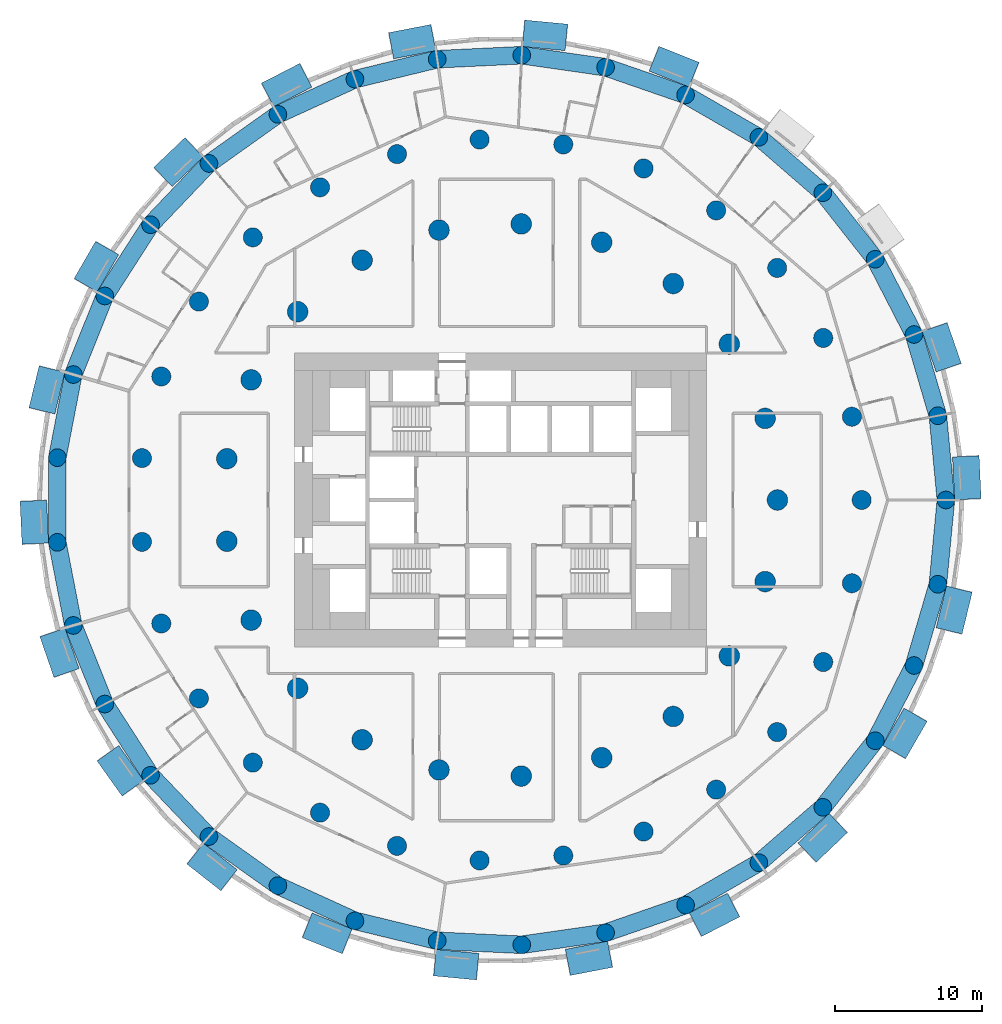
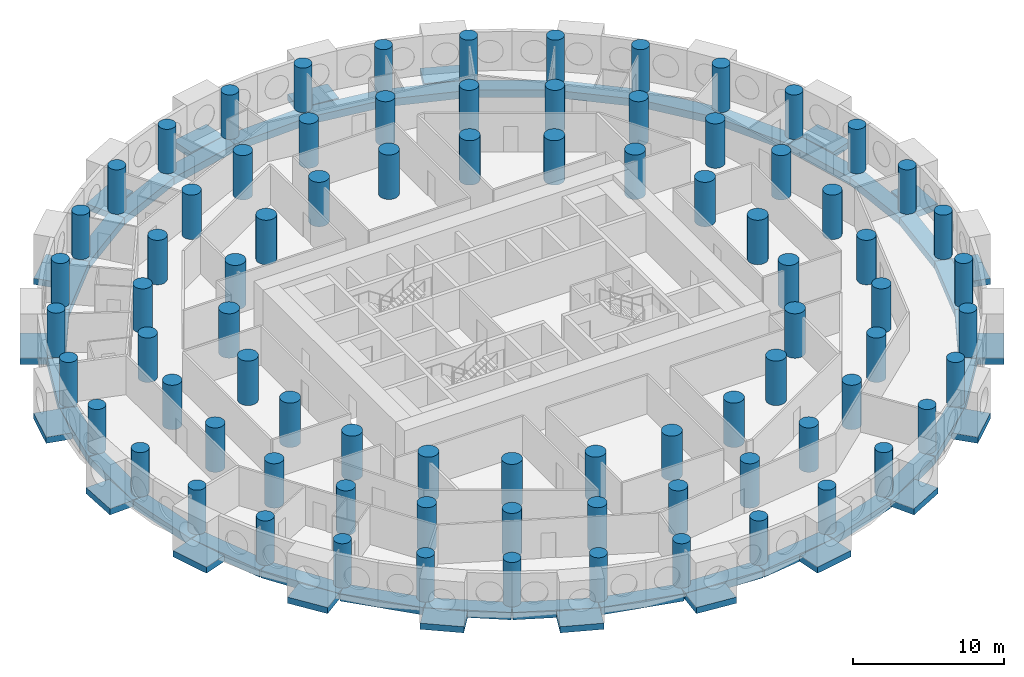
# One storey, part 1 of 12: 81 columns, 53 beams.
"""IFC4 building model written with IfcOpenShell, lengths in metres."""

from ifc_helpers import new_model, si_unit, direction, frame, origin, origin_2d, place, context, subcontext, project, spatial, rectangle, circle, extrude, material, material_profile, profile_set, type_object, element, save


model = new_model("IFC4")

# Units and contexts
model_context = context("Model", 3, precision=1e-05, world=origin(), true_north=direction((0.0, 1.0)))
body_context = subcontext(model_context, "Body", "Model", "MODEL_VIEW")
ifc_project = project(units=[si_unit("LENGTHUNIT", "METRE"), si_unit("AREAUNIT", "SQUARE_METRE"), si_unit("VOLUMEUNIT", "CUBIC_METRE"), si_unit("PLANEANGLEUNIT", "RADIAN"), si_unit("MASSUNIT", "GRAM", prefix="KILO")], contexts=[model_context])

# Site, building, storey
site_placement = place(None, origin())
site = spatial("IfcSite", under=ifc_project, at=site_placement, CompositionType="ELEMENT")
building_placement = place(site_placement, origin())
building = spatial("IfcBuilding", under=site, at=building_placement, Name="Tracery Tower", CompositionType="ELEMENT")
storey_placement = place(building_placement, frame((0.0, 0.0, 82.199951171875)))
storey = spatial("IfcBuildingStorey", under=building, at=storey_placement, Name="L20", CompositionType="ELEMENT", Elevation=82.199951171875)

# Columns
ifc_material_1 = material(Name="Concrete C60/75", Category="concrete")
ifc_material_profile_1 = material_profile(ifc_material_1, circle(Radius=0.60009765625, at=origin_2d()), Name="RC D1200")
ifc_profile_set_1 = profile_set([ifc_material_profile_1], Name="Concrete C60/75")
column_type_1 = type_object("IfcColumnType", Name="Ring 0 column 1200", PredefinedType="COLUMN", material=ifc_profile_set_1)
for number, where, z_axis, x_axis, name in (
    (1, (30.274658203125, 0.0, 0.0), (0.0, 0.0, 1.0), (1.0, 0.0, 0.0), "Ring 0 column 00 at L20"),
    (2, (29.7275390625, 5.7294921875, 0.0), (0.0, 0.0, 1.0), (1.0, 0.0, 0.0), "Ring 0 column 01 at L20"),
    (3, (28.10595703125, 11.251953125, 0.0), (0.0, 0.0, 1.0), (1.0, 0.0, 0.0), "Ring 0 column 02 at L20"),
    (4, (25.468505859375, 16.36767578125, 0.0), (0.0, 0.0, 1.0), (1.0, 0.0, 0.0), "Ring 0 column 03 at L20"),
    (5, (21.910888671875, 20.891845703125, 0.0), (0.0, 0.0, 1.0), (1.0, 0.0, 0.0), "Ring 0 column 04 at L20"),
    (6, (17.56103515625, 24.660888671875, 0.0), (0.0, 0.0, 1.0), (1.0, 0.0, 0.0), "Ring 0 column 05 at L20"),
    (7, (12.576416015625, 27.538818359375, 0.0), (0.0, 0.0, 1.0), (1.0, 0.0, 0.0), "Ring 0 column 06 at L20"),
    (8, (7.137451171875, 29.421142578125, 0.0), (0.0, 0.0, 1.0), (1.0, 0.0, 0.0), "Ring 0 column 07 at L20"),
    (9, (1.4404296875, 30.240234375, 0.0), (0.0, 0.0, 1.0), (1.0, 0.0, 0.0), "Ring 0 column 08 at L20"),
    (10, (-4.30859375, 29.96630859375, 0.0), (0.0, 0.0, 1.0), (1.0, 0.0, 0.0), "Ring 0 column 09 at L20"),
    (11, (-9.90185546875, 28.609619140625, 0.0), (0.0, 0.0, 1.0), (1.0, 0.0, 0.0), "Ring 0 column 10 at L20"),
    (12, (-15.13720703125, 26.218505859375, 0.0), (0.0, 0.0, 1.0), (1.0, 0.0, 0.0), "Ring 0 column 11 at L20"),
    (13, (-19.82568359375, 22.8798828125, 0.0), (0.0, 0.0, 1.0), (1.0, 0.0, 0.0), "Ring 0 column 12 at L20"),
    (14, (-23.79736328125, 18.714599609375, 0.0), (0.0, 0.0, 1.0), (1.0, 0.0, 0.0), "Ring 0 column 13 at L20"),
    (15, (-26.9091796875, 13.87255859375, 0.0), (0.0, 0.0, 1.0), (1.0, 0.0, 0.0), "Ring 0 column 14 at L20"),
    (16, (-29.04833984375, 8.529296875, 0.0), (0.0, 0.0, 1.0), (1.0, 0.0, 0.0), "Ring 0 column 15 at L20"),
    (17, (-30.137451171875, 2.877685546875, 0.0), (0.0, 0.0, 1.0), (1.0, 0.0, 0.0), "Ring 0 column 16 at L20"),
    (18, (-30.137451171875, -2.877685546875, 0.0), (0.0, 0.0, 1.0), (1.0, 0.0, 0.0), "Ring 0 column 17 at L20"),
    (19, (-29.04833984375, -8.529296875, 0.0), (0.0, 0.0, 1.0), (1.0, 0.0, 0.0), "Ring 0 column 18 at L20"),
    (20, (-26.9091796875, -13.87255859375, 0.0), (0.0, 0.0, 1.0), (1.0, 0.0, 0.0), "Ring 0 column 19 at L20"),
    (21, (-23.79736328125, -18.714599609375, 0.0), (0.0, 0.0, 1.0), (1.0, 0.0, 0.0), "Ring 0 column 20 at L20"),
    (22, (-19.82568359375, -22.8798828125, 0.0), (0.0, 0.0, 1.0), (1.0, 0.0, 0.0), "Ring 0 column 21 at L20"),
    (23, (-15.13720703125, -26.218505859375, 0.0), (0.0, 0.0, 1.0), (1.0, 0.0, 0.0), "Ring 0 column 22 at L20"),
    (24, (-9.90185546875, -28.609619140625, 0.0), (0.0, 0.0, 1.0), (1.0, 0.0, 0.0), "Ring 0 column 23 at L20"),
    (25, (-4.30859375, -29.96630859375, 0.0), (0.0, 0.0, 1.0), (1.0, 0.0, 0.0), "Ring 0 column 24 at L20"),
    (26, (1.4404296875, -30.240234375, 0.0), (0.0, 0.0, 1.0), (1.0, 0.0, 0.0), "Ring 0 column 25 at L20"),
    (27, (7.137451171875, -29.421142578125, 0.0), (0.0, 0.0, 1.0), (1.0, 0.0, 0.0), "Ring 0 column 26 at L20"),
    (28, (12.576416015625, -27.538818359375, 0.0), (0.0, 0.0, 1.0), (1.0, 0.0, 0.0), "Ring 0 column 27 at L20"),
    (29, (17.56103515625, -24.660888671875, 0.0), (0.0, 0.0, 1.0), (1.0, 0.0, 0.0), "Ring 0 column 28 at L20"),
    (30, (21.910888671875, -20.891845703125, 0.0), (0.0, 0.0, 1.0), (1.0, 0.0, 0.0), "Ring 0 column 29 at L20"),
    (31, (25.468505859375, -16.36767578125, 0.0), (0.0, 0.0, 1.0), (1.0, 0.0, 0.0), "Ring 0 column 30 at L20"),
    (32, (28.10595703125, -11.251953125, 0.0), (0.0, 0.0, 1.0), (1.0, 0.0, 0.0), "Ring 0 column 31 at L20"),
    (33, (29.7275390625, -5.7294921875, 0.0), (0.0, 0.0, 1.0), (1.0, 0.0, 0.0), "Ring 0 column 32 at L20"),
):
    element("IfcColumn", number, at=place(storey_placement, frame(where, z_axis=z_axis, x_axis=x_axis)), inside=storey, type_object=column_type_1, Name=name, PredefinedType="COLUMN", context=body_context, shape_type="SweptSolid", body=[
        extrude(circle(Radius=0.60009765625, at=origin_2d()), origin(), (0.0, 0.0, 1.0), 3.60009765625),
    ])
ifc_material_2 = material(Name="Concrete C60/75", Category="concrete")
ifc_material_profile_2 = material_profile(ifc_material_2, circle(Radius=0.64990234375, at=origin_2d()), Name="RC D1300")
ifc_profile_set_2 = profile_set([ifc_material_profile_2], Name="Concrete C60/75")
column_type_2 = type_object("IfcColumnType", Name="Ring 1 column 1300", PredefinedType="COLUMN", material=ifc_profile_set_2)
for number, where, z_axis, x_axis, name in (
    (34, (24.547607421875, 0.0, 0.0), (0.0, 0.0, 1.0), (1.0, 0.0, 0.0), "Ring 1 column 00 at L20"),
    (35, (23.885986328125, 5.6611328125, 0.0), (0.0, 0.0, 1.0), (1.0, 0.0, 0.0), "Ring 1 column 01 at L20"),
    (36, (21.9365234375, 11.01708984375, 0.0), (0.0, 0.0, 1.0), (1.0, 0.0, 0.0), "Ring 1 column 02 at L20"),
    (37, (18.8046875, 15.779052734375, 0.0), (0.0, 0.0, 1.0), (1.0, 0.0, 0.0), "Ring 1 column 03 at L20"),
    (38, (14.658935546875, 19.690185546875, 0.0), (0.0, 0.0, 1.0), (1.0, 0.0, 0.0), "Ring 1 column 04 at L20"),
    (39, (9.722900390625, 22.5400390625, 0.0), (0.0, 0.0, 1.0), (1.0, 0.0, 0.0), "Ring 1 column 05 at L20"),
    (40, (4.2626953125, 24.1748046875, 0.0), (0.0, 0.0, 1.0), (1.0, 0.0, 0.0), "Ring 1 column 06 at L20"),
    (41, (-1.42724609375, 24.506103515625, 0.0), (0.0, 0.0, 1.0), (1.0, 0.0, 0.0), "Ring 1 column 07 at L20"),
    (42, (-7.040283203125, 23.516357421875, 0.0), (0.0, 0.0, 1.0), (1.0, 0.0, 0.0), "Ring 1 column 08 at L20"),
    (43, (-12.273681640625, 21.2587890625, 0.0), (0.0, 0.0, 1.0), (1.0, 0.0, 0.0), "Ring 1 column 09 at L20"),
    (44, (-16.845703125, 17.855224609375, 0.0), (0.0, 0.0, 1.0), (1.0, 0.0, 0.0), "Ring 1 column 10 at L20"),
    (45, (-20.50927734375, 13.4892578125, 0.0), (0.0, 0.0, 1.0), (1.0, 0.0, 0.0), "Ring 1 column 11 at L20"),
    (46, (-23.0673828125, 8.395751953125, 0.0), (0.0, 0.0, 1.0), (1.0, 0.0, 0.0), "Ring 1 column 12 at L20"),
    (47, (-24.381591796875, 2.849853515625, 0.0), (0.0, 0.0, 1.0), (1.0, 0.0, 0.0), "Ring 1 column 13 at L20"),
    (48, (-24.381591796875, -2.849853515625, 0.0), (0.0, 0.0, 1.0), (1.0, 0.0, 0.0), "Ring 1 column 14 at L20"),
    (49, (-23.0673828125, -8.395751953125, 0.0), (0.0, 0.0, 1.0), (1.0, 0.0, 0.0), "Ring 1 column 15 at L20"),
    (50, (-20.50927734375, -13.4892578125, 0.0), (0.0, 0.0, 1.0), (1.0, 0.0, 0.0), "Ring 1 column 16 at L20"),
    (51, (-16.845703125, -17.85546875, 0.0), (0.0, 0.0, 1.0), (1.0, 0.0, 0.0), "Ring 1 column 17 at L20"),
    (52, (-12.27392578125, -21.2587890625, 0.0), (0.0, 0.0, 1.0), (1.0, 0.0, 0.0), "Ring 1 column 18 at L20"),
    (53, (-7.040283203125, -23.516357421875, 0.0), (0.0, 0.0, 1.0), (1.0, 0.0, 0.0), "Ring 1 column 19 at L20"),
    (54, (-1.42724609375, -24.506103515625, 0.0), (0.0, 0.0, 1.0), (1.0, 0.0, 0.0), "Ring 1 column 20 at L20"),
    (55, (4.2626953125, -24.1748046875, 0.0), (0.0, 0.0, 1.0), (1.0, 0.0, 0.0), "Ring 1 column 21 at L20"),
    (56, (9.722900390625, -22.5400390625, 0.0), (0.0, 0.0, 1.0), (1.0, 0.0, 0.0), "Ring 1 column 22 at L20"),
    (57, (14.658935546875, -19.690185546875, 0.0), (0.0, 0.0, 1.0), (1.0, 0.0, 0.0), "Ring 1 column 23 at L20"),
    (58, (18.8046875, -15.779052734375, 0.0), (0.0, 0.0, 1.0), (1.0, 0.0, 0.0), "Ring 1 column 24 at L20"),
    (59, (21.9365234375, -11.01708984375, 0.0), (0.0, 0.0, 1.0), (1.0, 0.0, 0.0), "Ring 1 column 25 at L20"),
    (60, (23.885986328125, -5.6611328125, 0.0), (0.0, 0.0, 1.0), (1.0, 0.0, 0.0), "Ring 1 column 26 at L20"),
):
    element("IfcColumn", number, at=place(storey_placement, frame(where, z_axis=z_axis, x_axis=x_axis)), inside=storey, type_object=column_type_2, Name=name, PredefinedType="COLUMN", context=body_context, shape_type="SweptSolid", body=[
        extrude(circle(Radius=0.64990234375, at=origin_2d()), origin(), (0.0, 0.0, 1.0), 3.60009765625),
    ])
ifc_material_3 = material(Name="Concrete C60/75", Category="concrete")
ifc_material_profile_3 = material_profile(ifc_material_3, circle(Radius=0.699951171875, at=origin_2d()), Name="RC D1400")
ifc_profile_set_3 = profile_set([ifc_material_profile_3], Name="Concrete C60/75")
column_type_3 = type_object("IfcColumnType", Name="Ring 2 column 1400", PredefinedType="COLUMN", material=ifc_profile_set_3)
for number, where, z_axis, x_axis, name in (
    (61, (18.822265625, 0.0, 0.0), (0.0, 0.0, 1.0), (1.0, 0.0, 0.0), "Ring 2 column 00 at L20"),
    (62, (17.986083984375, 5.5478515625, 0.0), (0.0, 0.0, 1.0), (1.0, 0.0, 0.0), "Ring 2 column 01 at L20"),
    (63, (15.551513671875, 10.602783203125, 0.0), (0.0, 0.0, 1.0), (1.0, 0.0, 0.0), "Ring 2 column 02 at L20"),
    (64, (11.7353515625, 14.7158203125, 0.0), (0.0, 0.0, 1.0), (1.0, 0.0, 0.0), "Ring 2 column 03 at L20"),
    (65, (6.87646484375, 17.52099609375, 0.0), (0.0, 0.0, 1.0), (1.0, 0.0, 0.0), "Ring 2 column 04 at L20"),
    (66, (1.406494140625, 18.76953125, 0.0), (0.0, 0.0, 1.0), (1.0, 0.0, 0.0), "Ring 2 column 05 at L20"),
    (67, (-4.188232421875, 18.350341796875, 0.0), (0.0, 0.0, 1.0), (1.0, 0.0, 0.0), "Ring 2 column 06 at L20"),
    (68, (-9.4111328125, 16.300537109375, 0.0), (0.0, 0.0, 1.0), (1.0, 0.0, 0.0), "Ring 2 column 07 at L20"),
    (69, (-13.797607421875, 12.802490234375, 0.0), (0.0, 0.0, 1.0), (1.0, 0.0, 0.0), "Ring 2 column 08 at L20"),
    (70, (-16.958251953125, 8.16650390625, 0.0), (0.0, 0.0, 1.0), (1.0, 0.0, 0.0), "Ring 2 column 09 at L20"),
    (71, (-18.612060546875, 2.805419921875, 0.0), (0.0, 0.0, 1.0), (1.0, 0.0, 0.0), "Ring 2 column 10 at L20"),
    (72, (-18.612060546875, -2.805419921875, 0.0), (0.0, 0.0, 1.0), (1.0, 0.0, 0.0), "Ring 2 column 11 at L20"),
    (73, (-16.958251953125, -8.166748046875, 0.0), (0.0, 0.0, 1.0), (1.0, 0.0, 0.0), "Ring 2 column 12 at L20"),
    (74, (-13.797607421875, -12.80224609375, 0.0), (0.0, 0.0, 1.0), (1.0, 0.0, 0.0), "Ring 2 column 13 at L20"),
    (75, (-9.4111328125, -16.300537109375, 0.0), (0.0, 0.0, 1.0), (1.0, 0.0, 0.0), "Ring 2 column 14 at L20"),
    (76, (-4.188232421875, -18.350341796875, 0.0), (0.0, 0.0, 1.0), (1.0, 0.0, 0.0), "Ring 2 column 15 at L20"),
    (77, (1.406494140625, -18.76953125, 0.0), (0.0, 0.0, 1.0), (1.0, 0.0, 0.0), "Ring 2 column 16 at L20"),
    (78, (6.87646484375, -17.52099609375, 0.0), (0.0, 0.0, 1.0), (1.0, 0.0, 0.0), "Ring 2 column 17 at L20"),
    (79, (11.7353515625, -14.7158203125, 0.0), (0.0, 0.0, 1.0), (1.0, 0.0, 0.0), "Ring 2 column 18 at L20"),
    (80, (15.551513671875, -10.602783203125, 0.0), (0.0, 0.0, 1.0), (1.0, 0.0, 0.0), "Ring 2 column 19 at L20"),
    (81, (17.986083984375, -5.5478515625, 0.0), (0.0, 0.0, 1.0), (1.0, 0.0, 0.0), "Ring 2 column 20 at L20"),
):
    element("IfcColumn", number, at=place(storey_placement, frame(where, z_axis=z_axis, x_axis=x_axis)), inside=storey, type_object=column_type_3, Name=name, PredefinedType="COLUMN", context=body_context, shape_type="SweptSolid", body=[
        extrude(circle(Radius=0.699951171875, at=origin_2d()), origin(), (0.0, 0.0, 1.0), 3.60009765625),
    ])

# Beams
ifc_material_4 = material(Name="Concrete C60/75", Category="concrete")
ifc_material_profile_4 = material_profile(ifc_material_4, rectangle(XDim=1.81005859375, YDim=0.5, at=origin_2d()), Name="RC 1810x500")
ifc_profile_set_4 = profile_set([ifc_material_profile_4], Name="Concrete C60/75")
beam_type_1 = type_object("IfcBeamType", Name="Bay seat beam 1810 x 500", PredefinedType="BEAM", material=ifc_profile_set_4)
beam_1_placement = place(storey_placement, frame((31.767333984375, 0.051513671875, -0.699951171875), z_axis=(-0.047573094089, 0.998867759375, 0.0), x_axis=(-0.998867759375, -0.047573094089, 0.0)))
element("IfcBeam", 82, at=beam_1_placement, inside=storey, type_object=beam_type_1, Name="Bay seat beam 1 at L20", PredefinedType="BEAM", context=body_context, shape_type="SweptSolid", body=[
    extrude(rectangle(XDim=1.81005859375, YDim=0.5, at=origin_2d()), origin(), (0.0, 0.0, 1.0), 2.920166015625),
])
for number, where, z_axis, x_axis, name in (
    (83, (30.466064453125, 8.99951171875, -0.699951171875), (-0.327093333183, 0.944992037738, 0.0), (-0.944992037738, -0.327093333183, 0.0), "Bay seat beam 4 at L20"),
    (84, (13.149658203125, 28.918212890625, -0.699951171875), (-0.928367087211, 0.371664568373, 0.0), (-0.371664568373, -0.928367087211, 0.0), "Bay seat beam 13 at L20"),
):
    element("IfcBeam", number, at=place(storey_placement, frame(where, z_axis=z_axis, x_axis=x_axis)), inside=storey, type_object=beam_type_1, Name=name, PredefinedType="BEAM", context=body_context, shape_type="SweptSolid", body=[
        extrude(rectangle(XDim=1.81005859375, YDim=0.5, at=origin_2d()), origin(), (0.0, 0.0, 1.0), 2.919921875),
    ])
beam_2_placement = place(storey_placement, frame((4.469970703125, 31.451416015625, -0.699951171875), z_axis=(-0.995471769445, 0.095057646919, 0.0), x_axis=(-0.095057646919, -0.995471769445, 0.0)))
element("IfcBeam", 85, at=beam_2_placement, inside=storey, type_object=beam_type_1, Name="Bay seat beam 16 at L20", PredefinedType="BEAM", context=body_context, shape_type="SweptSolid", body=[
    extrude(rectangle(XDim=1.81005859375, YDim=0.5, at=origin_2d()), origin(), (0.0, 0.0, 1.0), 2.920166015625),
])
beam_3_placement = place(storey_placement, frame((-4.572021484375, 31.436767578125, -0.699951171875), z_axis=(-0.981920468865, -0.189293932349, 0.0), x_axis=(0.189293932349, -0.981920468865, 0.0)))
element("IfcBeam", 86, at=beam_3_placement, inside=storey, type_object=beam_type_1, Name="Bay seat beam 19 at L20", PredefinedType="BEAM", context=body_context, shape_type="SweptSolid", body=[
    extrude(rectangle(XDim=1.81005859375, YDim=0.5, at=origin_2d()), origin(), (0.0, 0.0, 1.0), 2.919921875),
])
beam_4_placement = place(storey_placement, frame((-13.24365234375, 28.875244140625, -0.699951171875), z_axis=(-0.888823919044, -0.458248885362, 0.0), x_axis=(0.458248885362, -0.888823919044, 0.0)))
element("IfcBeam", 87, at=beam_4_placement, inside=storey, type_object=beam_type_1, Name="Bay seat beam 22 at L20", PredefinedType="BEAM", context=body_context, shape_type="SweptSolid", body=[
    extrude(rectangle(XDim=1.81005859375, YDim=0.5, at=origin_2d()), origin(), (0.0, 0.0, 1.0), 2.920166015625),
])
for number, where, z_axis, x_axis, name in (
    (88, (-20.84228515625, 23.974365234375, -0.699951171875), (-0.72375405418, -0.690058018617, 0.0), (0.690058018617, -0.72375405418, 0.0), "Bay seat beam 25 at L20"),
    (89, (-26.75244140625, 17.13134765625, -0.699951171875), (-0.49998782916, -0.866032430508, 0.0), (0.866032430508, -0.49998782916, 0.0), "Bay seat beam 28 at L20"),
    (90, (-30.4951171875, 8.900390625, -0.699951171875), (-0.235781890866, -0.971805999127, 0.0), (0.971805999127, -0.235781890866, 0.0), "Bay seat beam 31 at L20"),
):
    element("IfcBeam", number, at=place(storey_placement, frame(where, z_axis=z_axis, x_axis=x_axis)), inside=storey, type_object=beam_type_1, Name=name, PredefinedType="BEAM", context=body_context, shape_type="SweptSolid", body=[
        extrude(rectangle(XDim=1.81005859375, YDim=0.5, at=origin_2d()), origin(), (0.0, 0.0, 1.0), 2.919921875),
    ])
beam_5_placement = place(storey_placement, frame((-31.767333984375, -0.051513671875, -0.699951171875), z_axis=(0.047573094089, -0.998867759375, 0.0), x_axis=(0.998867759375, 0.047573094089, 0.0)))
element("IfcBeam", 91, at=beam_5_placement, inside=storey, type_object=beam_type_1, Name="Bay seat beam 34 at L20", PredefinedType="BEAM", context=body_context, shape_type="SweptSolid", body=[
    extrude(rectangle(XDim=1.81005859375, YDim=0.5, at=origin_2d()), origin(), (0.0, 0.0, 1.0), 2.920166015625),
])
for number, where, z_axis, x_axis, name in (
    (92, (-30.466064453125, -8.99951171875, -0.699951171875), (0.327093333183, -0.944992037738, 0.0), (0.944992037738, 0.327093333183, 0.0), "Bay seat beam 37 at L20"),
    (93, (-26.696533203125, -17.21826171875, -0.699951171875), (0.580098696047, -0.81454619442, 0.0), (0.81454619442, 0.580098696047, 0.0), "Bay seat beam 40 at L20"),
    (94, (-20.76416015625, -24.0419921875, -0.699951171875), (0.786054237018, -0.618157533696, 0.0), (0.618157533696, 0.786054237018, 0.0), "Bay seat beam 43 at L20"),
    (95, (-13.149658203125, -28.918212890625, -0.699951171875), (0.928367087211, -0.371664568373, 0.0), (0.371664568373, 0.928367087211, 0.0), "Bay seat beam 46 at L20"),
):
    element("IfcBeam", number, at=place(storey_placement, frame(where, z_axis=z_axis, x_axis=x_axis)), inside=storey, type_object=beam_type_1, Name=name, PredefinedType="BEAM", context=body_context, shape_type="SweptSolid", body=[
        extrude(rectangle(XDim=1.81005859375, YDim=0.5, at=origin_2d()), origin(), (0.0, 0.0, 1.0), 2.919921875),
    ])
beam_6_placement = place(storey_placement, frame((-4.469970703125, -31.451416015625, -0.699951171875), z_axis=(0.995471769445, -0.095057646919, 0.0), x_axis=(0.095057646919, 0.995471769445, 0.0)))
element("IfcBeam", 96, at=beam_6_placement, inside=storey, type_object=beam_type_1, Name="Bay seat beam 49 at L20", PredefinedType="BEAM", context=body_context, shape_type="SweptSolid", body=[
    extrude(rectangle(XDim=1.81005859375, YDim=0.5, at=origin_2d()), origin(), (0.0, 0.0, 1.0), 2.920166015625),
])
beam_7_placement = place(storey_placement, frame((4.572021484375, -31.436767578125, -0.699951171875), z_axis=(0.981920468865, 0.189293932349, 0.0), x_axis=(-0.189293932349, 0.981920468865, 0.0)))
element("IfcBeam", 97, at=beam_7_placement, inside=storey, type_object=beam_type_1, Name="Bay seat beam 52 at L20", PredefinedType="BEAM", context=body_context, shape_type="SweptSolid", body=[
    extrude(rectangle(XDim=1.81005859375, YDim=0.5, at=origin_2d()), origin(), (0.0, 0.0, 1.0), 2.919921875),
])
beam_8_placement = place(storey_placement, frame((13.24365234375, -28.875244140625, -0.699951171875), z_axis=(0.888823919044, 0.458248885362, 0.0), x_axis=(-0.458248885362, 0.888823919044, 0.0)))
element("IfcBeam", 98, at=beam_8_placement, inside=storey, type_object=beam_type_1, Name="Bay seat beam 55 at L20", PredefinedType="BEAM", context=body_context, shape_type="SweptSolid", body=[
    extrude(rectangle(XDim=1.81005859375, YDim=0.5, at=origin_2d()), origin(), (0.0, 0.0, 1.0), 2.920166015625),
])
for number, where, z_axis, x_axis, name in (
    (99, (20.84228515625, -23.974365234375, -0.699951171875), (0.72375405418, 0.690058018617, 0.0), (-0.690058018617, 0.72375405418, 0.0), "Bay seat beam 58 at L20"),
    (100, (26.75244140625, -17.13134765625, -0.699951171875), (0.49998782916, 0.866032430508, 0.0), (-0.866032430508, 0.49998782916, 0.0), "Bay seat beam 61 at L20"),
    (101, (30.4951171875, -8.900390625, -0.699951171875), (0.235781890866, 0.971805999127, 0.0), (-0.971805999127, 0.235781890866, 0.0), "Bay seat beam 64 at L20"),
):
    element("IfcBeam", number, at=place(storey_placement, frame(where, z_axis=z_axis, x_axis=x_axis)), inside=storey, type_object=beam_type_1, Name=name, PredefinedType="BEAM", context=body_context, shape_type="SweptSolid", body=[
        extrude(rectangle(XDim=1.81005859375, YDim=0.5, at=origin_2d()), origin(), (0.0, 0.0, 1.0), 2.919921875),
    ])
ifc_material_5 = material(Name="Concrete C60/75", Category="concrete")
ifc_material_profile_5 = material_profile(ifc_material_5, rectangle(XDim=1.199951171875, YDim=0.60009765625, at=origin_2d()), Name="RC 1200x600")
ifc_profile_set_5 = profile_set([ifc_material_profile_5], Name="Concrete C60/75")
beam_type_2 = type_object("IfcBeamType", Name="Perimeter band beam 1200x600", PredefinedType="BEAM", material=ifc_profile_set_5)
for number, where, z_axis, x_axis, name in (
    (102, (30.274658203125, 0.0, -0.75), (-0.095059309677, 0.995471610667, 0.0), (-0.995471610667, -0.095059309677, 0.0), "Perimeter beam 0.00 under L20"),
    (103, (29.7275390625, 5.7294921875, -0.75), (-0.281739145896, 0.959491038869, 0.0), (-0.959491038869, -0.281739145896, 0.0), "Perimeter beam 0.01 under L20"),
    (104, (28.10595703125, 11.251953125, -0.75), (-0.458242010493, 0.88882746347, 0.0), (-0.88882746347, -0.458242010493, 0.0), "Perimeter beam 0.02 under L20"),
):
    element("IfcBeam", number, at=place(storey_placement, frame(where, z_axis=z_axis, x_axis=x_axis)), inside=storey, type_object=beam_type_2, Name=name, PredefinedType="BEAM", context=body_context, shape_type="SweptSolid", body=[
        extrude(rectangle(XDim=1.199951171875, YDim=0.60009765625, at=origin_2d()), origin(), (0.0, 0.0, 1.0), 5.755615234375),
    ])
beam_9_placement = place(storey_placement, frame((25.468505859375, 16.36767578125, -0.75), z_axis=(-0.618134362257, 0.786072458618, 0.0), x_axis=(-0.786072458618, -0.618134362257, 0.0)))
element("IfcBeam", 105, at=beam_9_placement, inside=storey, type_object=beam_type_2, Name="Perimeter beam 0.03 under L20", PredefinedType="BEAM", context=body_context, shape_type="SweptSolid", body=[
    extrude(rectangle(XDim=1.199951171875, YDim=0.60009765625, at=origin_2d()), origin(), (0.0, 0.0, 1.0), 5.75537109375),
])
beam_10_placement = place(storey_placement, frame((21.910888671875, 20.891845703125, -0.75), z_axis=(-0.755760456715, 0.65484817482, 0.0), x_axis=(-0.65484817482, -0.755760456715, 0.0)))
element("IfcBeam", 106, at=beam_10_placement, inside=storey, type_object=beam_type_2, Name="Perimeter beam 0.04 under L20", PredefinedType="BEAM", context=body_context, shape_type="SweptSolid", body=[
    extrude(rectangle(XDim=1.199951171875, YDim=0.60009765625, at=origin_2d()), origin(), (0.0, 0.0, 1.0), 5.755615234375),
])
beam_11_placement = place(storey_placement, frame((17.56103515625, 24.660888671875, -0.75), z_axis=(-0.866021003874, 0.50000762079, 0.0), x_axis=(-0.50000762079, -0.866021003874, 0.0)))
element("IfcBeam", 107, at=beam_11_placement, inside=storey, type_object=beam_type_2, Name="Perimeter beam 0.05 under L20", PredefinedType="BEAM", context=body_context, shape_type="SweptSolid", body=[
    extrude(rectangle(XDim=1.199951171875, YDim=0.60009765625, at=origin_2d()), origin(), (0.0, 0.0, 1.0), 5.755859375),
])
beam_12_placement = place(storey_placement, frame((12.576416015625, 27.538818359375, -0.75), z_axis=(-0.945007252869, 0.327049372458, 0.0), x_axis=(-0.327049372458, -0.945007252869, 0.0)))
element("IfcBeam", 108, at=beam_12_placement, inside=storey, type_object=beam_type_2, Name="Perimeter beam 0.06 under L20", PredefinedType="BEAM", context=body_context, shape_type="SweptSolid", body=[
    extrude(rectangle(XDim=1.199951171875, YDim=0.60009765625, at=origin_2d()), origin(), (0.0, 0.0, 1.0), 5.75537109375),
])
for number, where, z_axis, x_axis, name in (
    (109, (7.137451171875, 29.421142578125, -0.75), (-0.989821839174, 0.142312075013, 0.0), (-0.142312075013, -0.989821839174, 0.0), "Perimeter beam 0.07 under L20"),
    (110, (1.4404296875, 30.240234375, -0.75), (-0.998866793759, -0.047593364303, 0.0), (0.047593364303, -0.998866793759, 0.0), "Perimeter beam 0.08 under L20"),
):
    element("IfcBeam", number, at=place(storey_placement, frame(where, z_axis=z_axis, x_axis=x_axis)), inside=storey, type_object=beam_type_2, Name=name, PredefinedType="BEAM", context=body_context, shape_type="SweptSolid", body=[
        extrude(rectangle(XDim=1.199951171875, YDim=0.60009765625, at=origin_2d()), origin(), (0.0, 0.0, 1.0), 5.755615234375),
    ])
beam_13_placement = place(storey_placement, frame((-4.30859375, 29.96630859375, -0.75), z_axis=(-0.971820371509, -0.235722645328, 0.0), x_axis=(0.235722645328, -0.971820371509, 0.0)))
element("IfcBeam", 111, at=beam_13_placement, inside=storey, type_object=beam_type_2, Name="Perimeter beam 0.09 under L20", PredefinedType="BEAM", context=body_context, shape_type="SweptSolid", body=[
    extrude(rectangle(XDim=1.199951171875, YDim=0.60009765625, at=origin_2d()), origin(), (0.0, 0.0, 1.0), 5.75537109375),
])
for number, where, z_axis, x_axis, name in (
    (112, (-9.90185546875, 28.609619140625, -0.75), (-0.909618316865, -0.415444963411, 0.0), (0.415444963411, -0.909618316865, 0.0), "Perimeter beam 0.10 under L20"),
    (113, (-15.13720703125, 26.218505859375, -0.75), (-0.8145780864, -0.580053912285, 0.0), (0.580053912285, -0.8145780864, 0.0), "Perimeter beam 0.11 under L20"),
):
    element("IfcBeam", number, at=place(storey_placement, frame(where, z_axis=z_axis, x_axis=x_axis)), inside=storey, type_object=beam_type_2, Name=name, PredefinedType="BEAM", context=body_context, shape_type="SweptSolid", body=[
        extrude(rectangle(XDim=1.199951171875, YDim=0.60009765625, at=origin_2d()), origin(), (0.0, 0.0, 1.0), 5.755615234375),
    ])
beam_14_placement = place(storey_placement, frame((-19.82568359375, 22.8798828125, -0.75), z_axis=(-0.690087218267, -0.723726212863, 0.0), x_axis=(0.723726212863, -0.690087218267, 0.0)))
element("IfcBeam", 114, at=beam_14_placement, inside=storey, type_object=beam_type_2, Name="Perimeter beam 0.12 under L20", PredefinedType="BEAM", context=body_context, shape_type="SweptSolid", body=[
    extrude(rectangle(XDim=1.199951171875, YDim=0.60009765625, at=origin_2d()), origin(), (0.0, 0.0, 1.0), 5.75537109375),
])
beam_15_placement = place(storey_placement, frame((-23.79736328125, 18.714599609375, -0.75), z_axis=(-0.540643964602, -0.841251510274, 0.0), x_axis=(0.841251510274, -0.540643964602, 0.0)))
element("IfcBeam", 115, at=beam_15_placement, inside=storey, type_object=beam_type_2, Name="Perimeter beam 0.13 under L20", PredefinedType="BEAM", context=body_context, shape_type="SweptSolid", body=[
    extrude(rectangle(XDim=1.199951171875, YDim=0.60009765625, at=origin_2d()), origin(), (0.0, 0.0, 1.0), 5.755859375),
])
for number, where, z_axis, x_axis, name in (
    (116, (-26.9091796875, 13.87255859375, -0.75), (-0.371668572289, -0.928365484264, 0.0), (0.928365484264, -0.371668572289, 0.0), "Perimeter beam 0.14 under L20"),
    (117, (-29.04833984375, 8.529296875, -0.75), (-0.189226539295, -0.981933458451, 0.0), (0.981933458451, -0.189226539295, 0.0), "Perimeter beam 0.15 under L20"),
):
    element("IfcBeam", number, at=place(storey_placement, frame(where, z_axis=z_axis, x_axis=x_axis)), inside=storey, type_object=beam_type_2, Name=name, PredefinedType="BEAM", context=body_context, shape_type="SweptSolid", body=[
        extrude(rectangle(XDim=1.199951171875, YDim=0.60009765625, at=origin_2d()), origin(), (0.0, 0.0, 1.0), 5.755615234375),
    ])
beam_16_placement = place(storey_placement, frame((-30.137451171875, 2.877685546875, -0.75), z_axis=(0.0, -1.0, 0.0), x_axis=(1.0, 0.0, 0.0)))
element("IfcBeam", 118, at=beam_16_placement, inside=storey, type_object=beam_type_2, Name="Perimeter beam 0.16 under L20", PredefinedType="BEAM", context=body_context, shape_type="SweptSolid", body=[
    extrude(rectangle(XDim=1.199951171875, YDim=0.60009765625, at=origin_2d()), origin(), (0.0, 0.0, 1.0), 5.75537109375),
])
for number, where, z_axis, x_axis, name in (
    (119, (-30.137451171875, -2.877685546875, -0.75), (0.189226539295, -0.981933458451, 0.0), (0.981933458451, 0.189226539295, 0.0), "Perimeter beam 0.17 under L20"),
    (120, (-29.04833984375, -8.529296875, -0.75), (0.371668572289, -0.928365484264, 0.0), (0.928365484264, 0.371668572289, 0.0), "Perimeter beam 0.18 under L20"),
):
    element("IfcBeam", number, at=place(storey_placement, frame(where, z_axis=z_axis, x_axis=x_axis)), inside=storey, type_object=beam_type_2, Name=name, PredefinedType="BEAM", context=body_context, shape_type="SweptSolid", body=[
        extrude(rectangle(XDim=1.199951171875, YDim=0.60009765625, at=origin_2d()), origin(), (0.0, 0.0, 1.0), 5.755615234375),
    ])
beam_17_placement = place(storey_placement, frame((-26.9091796875, -13.87255859375, -0.75), z_axis=(0.540643964602, -0.841251510274, 0.0), x_axis=(0.841251510274, 0.540643964602, 0.0)))
element("IfcBeam", 121, at=beam_17_placement, inside=storey, type_object=beam_type_2, Name="Perimeter beam 0.19 under L20", PredefinedType="BEAM", context=body_context, shape_type="SweptSolid", body=[
    extrude(rectangle(XDim=1.199951171875, YDim=0.60009765625, at=origin_2d()), origin(), (0.0, 0.0, 1.0), 5.755859375),
])
beam_18_placement = place(storey_placement, frame((-23.79736328125, -18.714599609375, -0.75), z_axis=(0.690087218267, -0.723726212863, 0.0), x_axis=(0.723726212863, 0.690087218267, 0.0)))
element("IfcBeam", 122, at=beam_18_placement, inside=storey, type_object=beam_type_2, Name="Perimeter beam 0.20 under L20", PredefinedType="BEAM", context=body_context, shape_type="SweptSolid", body=[
    extrude(rectangle(XDim=1.199951171875, YDim=0.60009765625, at=origin_2d()), origin(), (0.0, 0.0, 1.0), 5.75537109375),
])
for number, where, z_axis, x_axis, name in (
    (123, (-19.82568359375, -22.8798828125, -0.75), (0.8145780864, -0.580053912285, 0.0), (0.580053912285, 0.8145780864, 0.0), "Perimeter beam 0.21 under L20"),
    (124, (-15.13720703125, -26.218505859375, -0.75), (0.909618316865, -0.415444963411, 0.0), (0.415444963411, 0.909618316865, 0.0), "Perimeter beam 0.22 under L20"),
):
    element("IfcBeam", number, at=place(storey_placement, frame(where, z_axis=z_axis, x_axis=x_axis)), inside=storey, type_object=beam_type_2, Name=name, PredefinedType="BEAM", context=body_context, shape_type="SweptSolid", body=[
        extrude(rectangle(XDim=1.199951171875, YDim=0.60009765625, at=origin_2d()), origin(), (0.0, 0.0, 1.0), 5.755615234375),
    ])
beam_19_placement = place(storey_placement, frame((-9.90185546875, -28.609619140625, -0.75), z_axis=(0.971820371509, -0.235722645328, 0.0), x_axis=(0.235722645328, 0.971820371509, 0.0)))
element("IfcBeam", 125, at=beam_19_placement, inside=storey, type_object=beam_type_2, Name="Perimeter beam 0.23 under L20", PredefinedType="BEAM", context=body_context, shape_type="SweptSolid", body=[
    extrude(rectangle(XDim=1.199951171875, YDim=0.60009765625, at=origin_2d()), origin(), (0.0, 0.0, 1.0), 5.75537109375),
])
for number, where, z_axis, x_axis, name in (
    (126, (-4.30859375, -29.96630859375, -0.75), (0.998866793759, -0.047593364303, 0.0), (0.047593364303, 0.998866793759, 0.0), "Perimeter beam 0.24 under L20"),
    (127, (1.4404296875, -30.240234375, -0.75), (0.989821839174, 0.142312075013, 0.0), (-0.142312075013, 0.989821839174, 0.0), "Perimeter beam 0.25 under L20"),
):
    element("IfcBeam", number, at=place(storey_placement, frame(where, z_axis=z_axis, x_axis=x_axis)), inside=storey, type_object=beam_type_2, Name=name, PredefinedType="BEAM", context=body_context, shape_type="SweptSolid", body=[
        extrude(rectangle(XDim=1.199951171875, YDim=0.60009765625, at=origin_2d()), origin(), (0.0, 0.0, 1.0), 5.755615234375),
    ])
beam_20_placement = place(storey_placement, frame((7.137451171875, -29.421142578125, -0.75), z_axis=(0.945007252869, 0.327049372458, 0.0), x_axis=(-0.327049372458, 0.945007252869, 0.0)))
element("IfcBeam", 128, at=beam_20_placement, inside=storey, type_object=beam_type_2, Name="Perimeter beam 0.26 under L20", PredefinedType="BEAM", context=body_context, shape_type="SweptSolid", body=[
    extrude(rectangle(XDim=1.199951171875, YDim=0.60009765625, at=origin_2d()), origin(), (0.0, 0.0, 1.0), 5.75537109375),
])
beam_21_placement = place(storey_placement, frame((12.576416015625, -27.538818359375, -0.75), z_axis=(0.866021003874, 0.50000762079, 0.0), x_axis=(-0.50000762079, 0.866021003874, 0.0)))
element("IfcBeam", 129, at=beam_21_placement, inside=storey, type_object=beam_type_2, Name="Perimeter beam 0.27 under L20", PredefinedType="BEAM", context=body_context, shape_type="SweptSolid", body=[
    extrude(rectangle(XDim=1.199951171875, YDim=0.60009765625, at=origin_2d()), origin(), (0.0, 0.0, 1.0), 5.755859375),
])
beam_22_placement = place(storey_placement, frame((17.56103515625, -24.660888671875, -0.75), z_axis=(0.755760456715, 0.65484817482, 0.0), x_axis=(-0.65484817482, 0.755760456715, 0.0)))
element("IfcBeam", 130, at=beam_22_placement, inside=storey, type_object=beam_type_2, Name="Perimeter beam 0.28 under L20", PredefinedType="BEAM", context=body_context, shape_type="SweptSolid", body=[
    extrude(rectangle(XDim=1.199951171875, YDim=0.60009765625, at=origin_2d()), origin(), (0.0, 0.0, 1.0), 5.755615234375),
])
beam_23_placement = place(storey_placement, frame((21.910888671875, -20.891845703125, -0.75), z_axis=(0.618134362257, 0.786072458618, 0.0), x_axis=(-0.786072458618, 0.618134362257, 0.0)))
element("IfcBeam", 131, at=beam_23_placement, inside=storey, type_object=beam_type_2, Name="Perimeter beam 0.29 under L20", PredefinedType="BEAM", context=body_context, shape_type="SweptSolid", body=[
    extrude(rectangle(XDim=1.199951171875, YDim=0.60009765625, at=origin_2d()), origin(), (0.0, 0.0, 1.0), 5.75537109375),
])
for number, where, z_axis, x_axis, name in (
    (132, (25.468505859375, -16.36767578125, -0.75), (0.458242010493, 0.88882746347, 0.0), (-0.88882746347, 0.458242010493, 0.0), "Perimeter beam 0.30 under L20"),
    (133, (28.10595703125, -11.251953125, -0.75), (0.281739145896, 0.959491038869, 0.0), (-0.959491038869, 0.281739145896, 0.0), "Perimeter beam 0.31 under L20"),
    (134, (29.7275390625, -5.7294921875, -0.75), (0.095059309677, 0.995471610667, 0.0), (-0.995471610667, 0.095059309677, 0.0), "Perimeter beam 0.32 under L20"),
):
    element("IfcBeam", number, at=place(storey_placement, frame(where, z_axis=z_axis, x_axis=x_axis)), inside=storey, type_object=beam_type_2, Name=name, PredefinedType="BEAM", context=body_context, shape_type="SweptSolid", body=[
        extrude(rectangle(XDim=1.199951171875, YDim=0.60009765625, at=origin_2d()), origin(), (0.0, 0.0, 1.0), 5.755615234375),
    ])

save(model, "model.ifc")
